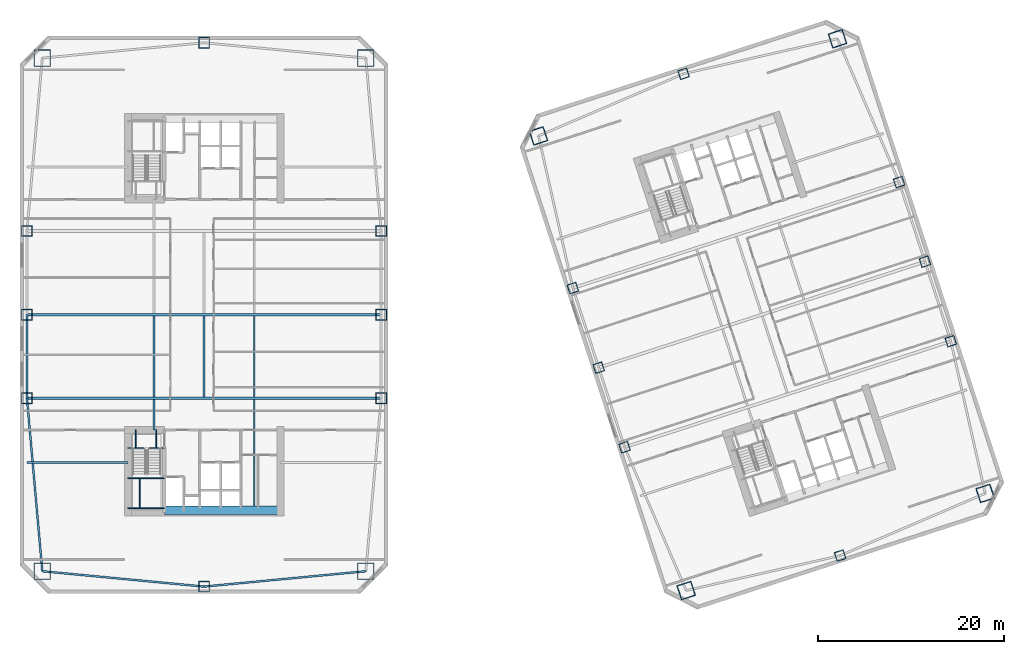
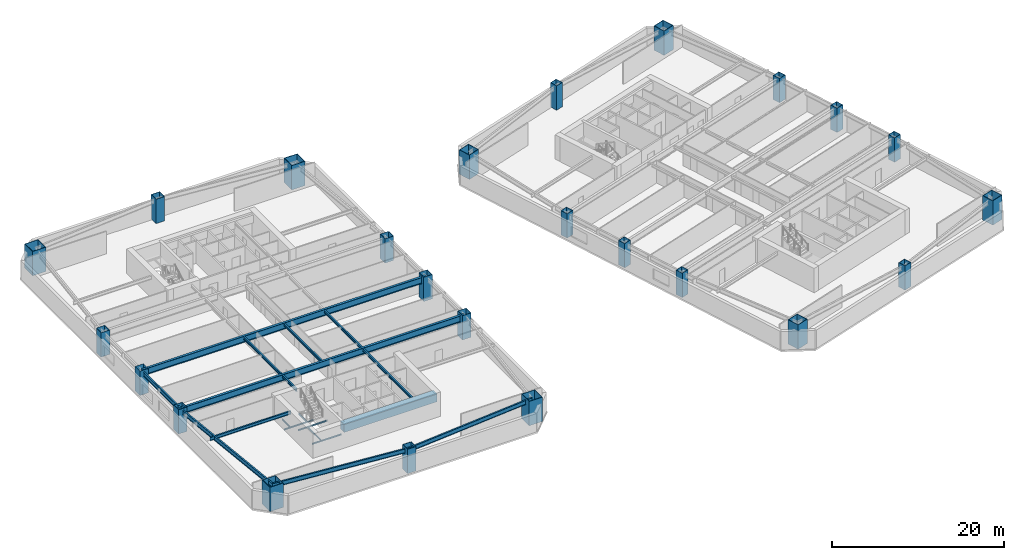
# One storey, part 1 of 19: 24 columns, 19 beams.
"""IFC4 building model written with IfcOpenShell, lengths in metres."""

from ifc_helpers import new_model, si_unit, direction, frame, origin, origin_2d, place, context, subcontext, project, spatial, rectangle, hollow_rectangle, i_section, extrude, material, material_profile, profile_set, type_object, element, save


model = new_model("IFC4")

# Units and contexts
model_context = context("Model", 3, precision=1e-05, world=origin(), true_north=direction((0.0, 1.0)))
body_context = subcontext(model_context, "Body", "Model", "MODEL_VIEW")
ifc_project = project(units=[si_unit("LENGTHUNIT", "METRE"), si_unit("AREAUNIT", "SQUARE_METRE"), si_unit("VOLUMEUNIT", "CUBIC_METRE"), si_unit("PLANEANGLEUNIT", "RADIAN"), si_unit("MASSUNIT", "GRAM", prefix="KILO")], contexts=[model_context])

# Site, building, storey
site_placement = place(None, origin())
site = spatial("IfcSite", under=ifc_project, at=site_placement, CompositionType="ELEMENT")
building_placement = place(site_placement, origin())
building = spatial("IfcBuilding", under=site, at=building_placement, Name="Qiaolan Cultural Towers", CompositionType="ELEMENT")
storey_placement = place(building_placement, frame((0.0, 0.0, 54.050048828125)))
storey = spatial("IfcBuildingStorey", under=building, at=storey_placement, Name="L12", CompositionType="ELEMENT", Elevation=54.050048828125)

# Columns
ifc_material_1 = material(Name="Steel Q355B", Category="steel")
ifc_material_profile_1 = material_profile(ifc_material_1, hollow_rectangle(XDim=1.0, YDim=1.0, WallThickness=0.035888671875, at=origin_2d()), Name="BOX1000x1000x36")
ifc_profile_set_1 = profile_set([ifc_material_profile_1], Name="Steel Q355B")
column_type_1 = type_object("IfcColumnType", Name="COL-BOX1000x1000x36", PredefinedType="COLUMN", material=ifc_profile_set_1)
for number, where, z_axis, x_axis, name in (
    (1, (75.234130859375, 19.739013671875, 0.0), (0.0, 0.0, 1.0), (0.951056516295, 0.309016994375, 0.0), "L12 T2 Perimeter Column PC-W1"),
    (2, (72.453125, 28.298583984375, 0.0), (0.0, 0.0, 1.0), (0.951056516295, 0.309016994375, 0.0), "L12 T2 Perimeter Column PC-W2"),
    (3, (69.671875, 36.858154296875, 0.0), (0.0, 0.0, 1.0), (0.951056516295, 0.309016994375, 0.0), "L12 T2 Perimeter Column PC-W3"),
    (4, (110.328125, 31.141845703125, 0.0), (0.0, 0.0, 1.0), (0.951056516295, 0.309016994375, 0.0), "L12 T2 Perimeter Column PC-E1"),
    (5, (107.546875, 39.701416015625, 0.0), (0.0, 0.0, 1.0), (0.951056516295, 0.309016994375, 0.0), "L12 T2 Perimeter Column PC-E2"),
    (6, (104.765869140625, 48.260986328125, 0.0), (0.0, 0.0, 1.0), (0.951056516295, 0.309016994375, 0.0), "L12 T2 Perimeter Column PC-E3"),
    (7, (98.420654296875, 8.083740234375, 0.0), (0.0, 0.0, 1.0), (0.951056516295, 0.309016994375, 0.0), "L12 T2 Perimeter Column PC-S0"),
    (8, (81.579345703125, 59.916259765625, 0.0), (0.0, 0.0, 1.0), (0.951056516295, 0.309016994375, 0.0), "L12 T2 Perimeter Column PC-N0"),
):
    element("IfcColumn", number, at=place(storey_placement, frame(where, z_axis=z_axis, x_axis=x_axis)), inside=storey, type_object=column_type_1, Name=name, PredefinedType="COLUMN", context=body_context, shape_type="SweptSolid", body=[
        extrude(hollow_rectangle(XDim=1.0, YDim=1.0, WallThickness=0.035888671875, at=origin_2d()), origin(), (0.0, 0.0, 1.0), 3.450927734375),
    ])
ifc_material_2 = material(Name="Steel Q390GJB", Category="steel")
ifc_material_profile_2 = material_profile(ifc_material_2, hollow_rectangle(XDim=1.14990234375, YDim=1.14990234375, WallThickness=0.0400390625, at=origin_2d()), Name="BOX1150x1150x40")
ifc_profile_set_2 = profile_set([ifc_material_profile_2], Name="Steel Q390GJB")
column_type_2 = type_object("IfcColumnType", Name="COL-BOX1150x1150x40", PredefinedType="COLUMN", material=ifc_profile_set_2)
for number, where, z_axis, x_axis, name in (
    (9, (10.949951171875, 25.0, 0.0), (0.0, 0.0, 1.0), (1.0, 0.0, 0.0), "L12 T1 Perimeter Column PC-W1"),
    (10, (10.949951171875, 34.0, 0.0), (0.0, 0.0, 1.0), (1.0, 0.0, 0.0), "L12 T1 Perimeter Column PC-W2"),
    (11, (10.949951171875, 43.0, 0.0), (0.0, 0.0, 1.0), (1.0, 0.0, 0.0), "L12 T1 Perimeter Column PC-W3"),
    (12, (49.050048828125, 25.0, 0.0), (0.0, 0.0, 1.0), (1.0, 0.0, 0.0), "L12 T1 Perimeter Column PC-E1"),
    (13, (49.050048828125, 34.0, 0.0), (0.0, 0.0, 1.0), (1.0, 0.0, 0.0), "L12 T1 Perimeter Column PC-E2"),
    (14, (49.050048828125, 43.0, 0.0), (0.0, 0.0, 1.0), (1.0, 0.0, 0.0), "L12 T1 Perimeter Column PC-E3"),
    (15, (30.0, 4.75, 0.0), (0.0, 0.0, 1.0), (1.0, 0.0, 0.0), "L12 T1 Perimeter Column PC-S0"),
    (16, (30.0, 63.25, 0.0), (0.0, 0.0, 1.0), (1.0, 0.0, 0.0), "L12 T1 Perimeter Column PC-N0"),
):
    element("IfcColumn", number, at=place(storey_placement, frame(where, z_axis=z_axis, x_axis=x_axis)), inside=storey, type_object=column_type_2, Name=name, PredefinedType="COLUMN", context=body_context, shape_type="SweptSolid", body=[
        extrude(hollow_rectangle(XDim=1.14990234375, YDim=1.14990234375, WallThickness=0.0400390625, at=origin_2d()), origin(), (0.0, 0.0, 1.0), 3.450927734375),
    ])
ifc_material_3 = material(Name="Steel Q420GJB", Category="steel")
ifc_material_profile_3 = material_profile(ifc_material_3, hollow_rectangle(XDim=1.60009765625, YDim=1.60009765625, WallThickness=0.054931640625, at=origin_2d()), Name="BOX1600x1600x55")
ifc_profile_set_3 = profile_set([ifc_material_profile_3], Name="Steel Q420GJB")
column_type_3 = type_object("IfcColumnType", Name="COL-BOX1600x1600x55", PredefinedType="COLUMN", material=ifc_profile_set_3)
for number, where, z_axis, x_axis, name in (
    (17, (81.862548828125, 4.32275390625, 0.0), (0.0, 0.0, 1.0), (0.951056516295, 0.309016994375, 0.0), "L12 T2 Perimeter Column MC-SW"),
    (18, (114.027099609375, 14.77392578125, 0.0), (0.0, 0.0, 1.0), (0.951056516295, 0.309016994375, 0.0), "L12 T2 Perimeter Column MC-SE"),
    (19, (98.137451171875, 63.67724609375, 0.0), (0.0, 0.0, 1.0), (0.951056516295, 0.309016994375, 0.0), "L12 T2 Perimeter Column MC-NE"),
    (20, (65.972900390625, 53.22607421875, 0.0), (0.0, 0.0, 1.0), (0.951056516295, 0.309016994375, 0.0), "L12 T2 Perimeter Column MC-NW"),
):
    element("IfcColumn", number, at=place(storey_placement, frame(where, z_axis=z_axis, x_axis=x_axis)), inside=storey, type_object=column_type_3, Name=name, PredefinedType="COLUMN", context=body_context, shape_type="SweptSolid", body=[
        extrude(hollow_rectangle(XDim=1.60009765625, YDim=1.60009765625, WallThickness=0.054931640625, at=origin_2d()), origin(), (0.0, 0.0, 1.0), 3.450927734375),
    ])
ifc_material_4 = material(Name="Steel Q420GJB", Category="steel")
ifc_material_profile_4 = material_profile(ifc_material_4, hollow_rectangle(XDim=1.800048828125, YDim=1.800048828125, WallThickness=0.06005859375, at=origin_2d()), Name="BOX1800x1800x60")
ifc_profile_set_4 = profile_set([ifc_material_profile_4], Name="Steel Q420GJB")
column_type_4 = type_object("IfcColumnType", Name="COL-BOX1800x1800x60", PredefinedType="COLUMN", material=ifc_profile_set_4)
for number, where, z_axis, x_axis, name in (
    (21, (12.60009765625, 6.39990234375, 0.0), (0.0, 0.0, 1.0), (1.0, 0.0, 0.0), "L12 T1 Perimeter Column MC-SW"),
    (22, (47.39990234375, 6.39990234375, 0.0), (0.0, 0.0, 1.0), (1.0, 0.0, 0.0), "L12 T1 Perimeter Column MC-SE"),
    (23, (47.39990234375, 61.60009765625, 0.0), (0.0, 0.0, 1.0), (1.0, 0.0, 0.0), "L12 T1 Perimeter Column MC-NE"),
    (24, (12.60009765625, 61.60009765625, 0.0), (0.0, 0.0, 1.0), (1.0, 0.0, 0.0), "L12 T1 Perimeter Column MC-NW"),
):
    element("IfcColumn", number, at=place(storey_placement, frame(where, z_axis=z_axis, x_axis=x_axis)), inside=storey, type_object=column_type_4, Name=name, PredefinedType="COLUMN", context=body_context, shape_type="SweptSolid", body=[
        extrude(hollow_rectangle(XDim=1.800048828125, YDim=1.800048828125, WallThickness=0.06005859375, at=origin_2d()), origin(), (0.0, 0.0, 1.0), 3.450927734375),
    ])

# Beams
ifc_material_5 = material(Name="Steel Q355B", Category="steel")
ifc_material_profile_5 = material_profile(ifc_material_5, i_section(OverallWidth=0.300048828125, OverallDepth=0.89990234375, WebThickness=0.01611328125, FlangeThickness=0.028076171875, at=origin_2d()), Name="HN900x300x16x28")
ifc_profile_set_5 = profile_set([ifc_material_profile_5], Name="Steel Q355B")
beam_type_1 = type_object("IfcBeamType", Name="BM-HN900x300x16x28", PredefinedType="BEAM", material=ifc_profile_set_5)
for number, where, z_axis, x_axis, name in (
    (25, (10.949951171875, 25.0, 2.739990234375), (1.0, 0.0, 0.0), (0.0, 1.0, 0.0), "L12 T1 Primary Transverse Girder V1"),
    (26, (10.949951171875, 34.0, 2.739990234375), (1.0, 0.0, 0.0), (0.0, 1.0, 0.0), "L12 T1 Primary Transverse Girder V2"),
):
    element("IfcBeam", number, at=place(storey_placement, frame(where, z_axis=z_axis, x_axis=x_axis)), inside=storey, type_object=beam_type_1, Name=name, PredefinedType="BEAM", context=body_context, shape_type="SweptSolid", body=[
        extrude(i_section(OverallWidth=0.300048828125, OverallDepth=0.89990234375, WebThickness=0.01611328125, FlangeThickness=0.028076171875, at=origin_2d()), origin(), (0.0, 0.0, 1.0), 38.10009765625),
    ])
ifc_material_6 = material(Name="Steel Q355B", Category="steel")
ifc_material_profile_6 = material_profile(ifc_material_6, i_section(OverallWidth=0.199951171875, OverallDepth=0.39990234375, WebThickness=0.008056640625, FlangeThickness=0.012939453125, at=origin_2d()), Name="HN400x200x8x13")
ifc_profile_set_6 = profile_set([ifc_material_profile_6], Name="Steel Q355B")
beam_type_2 = type_object("IfcBeamType", Name="BM-JST-HN400x200x8x13", PredefinedType="JOIST", material=ifc_profile_set_6)
beam_1_placement = place(storey_placement, frame((24.60009765625, 21.60009765625, 2.989990234375), z_axis=(0.0, 1.0, 0.0), x_axis=(-1.0, 0.0, 0.0)))
element("IfcBeam", 27, at=beam_1_placement, inside=storey, type_object=beam_type_2, Name="L12 T1 Secondary Floor Joist U1-1", PredefinedType="JOIST", context=body_context, shape_type="SweptSolid", body=[
    extrude(i_section(OverallWidth=0.199951171875, OverallDepth=0.39990234375, WebThickness=0.008056640625, FlangeThickness=0.012939453125, at=origin_2d()), origin(), (0.0, 0.0, 1.0), 3.25),
])
for number, where, z_axis, x_axis, name in (
    (28, (24.60009765625, 25.14990234375, 2.989990234375), (0.0, 1.0, 0.0), (-1.0, 0.0, 0.0), "L12 T1 Secondary Floor Joist U1-2"),
    (29, (30.0, 25.14990234375, 2.989990234375), (0.0, 1.0, 0.0), (-1.0, 0.0, 0.0), "L12 T1 Secondary Floor Joist U2-2"),
):
    element("IfcBeam", number, at=place(storey_placement, frame(where, z_axis=z_axis, x_axis=x_axis)), inside=storey, type_object=beam_type_2, Name=name, PredefinedType="JOIST", context=body_context, shape_type="SweptSolid", body=[
        extrude(i_section(OverallWidth=0.199951171875, OverallDepth=0.39990234375, WebThickness=0.008056640625, FlangeThickness=0.012939453125, at=origin_2d()), origin(), (0.0, 0.0, 1.0), 8.7001953125),
    ])
beam_2_placement = place(storey_placement, frame((35.39990234375, 13.39990234375, 2.989990234375), z_axis=(0.0, 1.0, 0.0), x_axis=(-1.0, 0.0, 0.0)))
element("IfcBeam", 30, at=beam_2_placement, inside=storey, type_object=beam_type_2, Name="L12 T1 Secondary Floor Joist U3-1", PredefinedType="JOIST", context=body_context, shape_type="SweptSolid", body=[
    extrude(i_section(OverallWidth=0.199951171875, OverallDepth=0.39990234375, WebThickness=0.008056640625, FlangeThickness=0.012939453125, at=origin_2d()), origin(), (0.0, 0.0, 1.0), 11.4501953125),
])
beam_3_placement = place(storey_placement, frame((35.39990234375, 25.14990234375, 2.989990234375), z_axis=(0.0, 1.0, 0.0), x_axis=(-1.0, 0.0, 0.0)))
element("IfcBeam", 31, at=beam_3_placement, inside=storey, type_object=beam_type_2, Name="L12 T1 Secondary Floor Joist U3-2", PredefinedType="JOIST", context=body_context, shape_type="SweptSolid", body=[
    extrude(i_section(OverallWidth=0.199951171875, OverallDepth=0.39990234375, WebThickness=0.008056640625, FlangeThickness=0.012939453125, at=origin_2d()), origin(), (0.0, 0.0, 1.0), 8.7001953125),
])
ifc_material_7 = material(Name="Steel Q355B", Category="steel")
ifc_material_profile_7 = material_profile(ifc_material_7, i_section(OverallWidth=0.199951171875, OverallDepth=0.449951171875, WebThickness=0.009033203125, FlangeThickness=0.013916015625, at=origin_2d()), Name="HN450x200x9x14")
ifc_profile_set_7 = profile_set([ifc_material_profile_7], Name="Steel Q355B")
beam_type_3 = type_object("IfcBeamType", Name="BM-LNT-HN450x200x9x14", PredefinedType="LINTEL", material=ifc_profile_set_7)
beam_4_placement = place(storey_placement, frame((21.800048828125, 18.10009765625, 2.96484375), z_axis=(-1.0, 0.0, 0.0), x_axis=(0.0, -1.0, 0.0)))
element("IfcBeam", 32, at=beam_4_placement, inside=storey, type_object=beam_type_3, Name="L12 T1 Core Flank Tie Lintel WS", PredefinedType="LINTEL", context=body_context, shape_type="SweptSolid", body=[
    extrude(i_section(OverallWidth=0.199951171875, OverallDepth=0.449951171875, WebThickness=0.009033203125, FlangeThickness=0.013916015625, at=origin_2d()), origin(), (0.0, 0.0, 1.0), 10.85009765625),
])
ifc_material_8 = material(Name="Concrete C50", Category="concrete")
ifc_material_profile_8 = material_profile(ifc_material_8, rectangle(XDim=0.89990234375, YDim=1.10009765625, at=origin_2d()), Name="RC900x1100")
ifc_profile_set_8 = profile_set([ifc_material_profile_8], Name="Concrete C50")
beam_type_4 = type_object("IfcBeamType", Name="BM-RC900x1100", PredefinedType="BEAM", material=ifc_profile_set_8)
beam_5_placement = place(storey_placement, frame((25.719970703125, 12.949951171875, 2.639892578125), z_axis=(1.0, 0.0, 0.0), x_axis=(0.0, 1.0, 0.0)))
element("IfcBeam", 33, at=beam_5_placement, inside=storey, type_object=beam_type_4, Name="L12 T1 Core Header Girder S", PredefinedType="BEAM", context=body_context, shape_type="SweptSolid", body=[
    extrude(rectangle(XDim=0.89990234375, YDim=1.10009765625, at=origin_2d()), origin(), (0.0, 0.0, 1.0), 12.47998046875),
])
ifc_material_9 = material(Name="Steel Q355B", Category="steel")
ifc_material_profile_9 = material_profile(ifc_material_9, i_section(OverallWidth=0.199951171875, OverallDepth=0.60009765625, WebThickness=0.010986328125, FlangeThickness=0.01708984375, at=origin_2d()), Name="HN600x200x11x17")
ifc_profile_set_9 = profile_set([ifc_material_profile_9], Name="Steel Q355B")
beam_type_5 = type_object("IfcBeamType", Name="BM-SPD-HN600x200x11x17", PredefinedType="SPANDREL", material=ifc_profile_set_9)
for number, where, z_axis, x_axis, name in (
    (34, (12.60009765625, 6.39990234375, 2.889892578125), (0.995534437156, -0.094399070104, 0.0), (0.094399070104, 0.995534437156, 0.0), "L12 T1 Perimeter Spandrel Beam 1"),
    (35, (30.0, 4.75, 2.889892578125), (0.995534437156, 0.094399070104, 0.0), (-0.094399070104, 0.995534437156, 0.0), "L12 T1 Perimeter Spandrel Beam 2"),
):
    element("IfcBeam", number, at=place(storey_placement, frame(where, z_axis=z_axis, x_axis=x_axis)), inside=storey, type_object=beam_type_5, Name=name, PredefinedType="SPANDREL", context=body_context, shape_type="SweptSolid", body=[
        extrude(i_section(OverallWidth=0.199951171875, OverallDepth=0.60009765625, WebThickness=0.010986328125, FlangeThickness=0.01708984375, at=origin_2d()), origin(), (0.0, 0.0, 1.0), 17.47802734375),
    ])
beam_6_placement = place(storey_placement, frame((10.949951171875, 34.0, 2.889892578125), z_axis=(0.0, -1.0, 0.0), x_axis=(1.0, 0.0, 0.0)))
element("IfcBeam", 36, at=beam_6_placement, inside=storey, type_object=beam_type_5, Name="L12 T1 Perimeter Spandrel Beam 11", PredefinedType="SPANDREL", context=body_context, shape_type="SweptSolid", body=[
    extrude(i_section(OverallWidth=0.199951171875, OverallDepth=0.60009765625, WebThickness=0.010986328125, FlangeThickness=0.01708984375, at=origin_2d()), origin(), (0.0, 0.0, 1.0), 9.0),
])
beam_7_placement = place(storey_placement, frame((10.949951171875, 25.0, 2.889892578125), z_axis=(0.08837000091, -0.996087718496, 0.0), x_axis=(0.996087718496, 0.08837000091, 0.0)))
element("IfcBeam", 37, at=beam_7_placement, inside=storey, type_object=beam_type_5, Name="L12 T1 Perimeter Spandrel Beam 12", PredefinedType="SPANDREL", context=body_context, shape_type="SweptSolid", body=[
    extrude(i_section(OverallWidth=0.199951171875, OverallDepth=0.60009765625, WebThickness=0.010986328125, FlangeThickness=0.01708984375, at=origin_2d()), origin(), (0.0, 0.0, 1.0), 18.673095703125),
])
ifc_material_10 = material(Name="Steel Q355B", Category="steel")
ifc_material_profile_10 = material_profile(ifc_material_10, i_section(OverallWidth=0.10009765625, OverallDepth=0.199951171875, WebThickness=0.005615234375, FlangeThickness=0.008056640625, at=origin_2d()), Name="HN200x100x5.5x8")
ifc_profile_set_10 = profile_set([ifc_material_profile_10], Name="Steel Q355B")
beam_type_6 = type_object("IfcBeamType", Name="BM-STTRIM-200", PredefinedType="BEAM", material=ifc_profile_set_10)
beam_8_placement = place(storey_placement, frame((21.800048828125, 19.659912109375, -0.4599609375), z_axis=(1.0, 0.0, 0.0), x_axis=(0.0, 1.0, 0.0)))
element("IfcBeam", 38, at=beam_8_placement, inside=storey, type_object=beam_type_6, Name="L12 ST-W1 Floor Landing Header Beam", PredefinedType="BEAM", context=body_context, shape_type="SweptSolid", body=[
    extrude(i_section(OverallWidth=0.10009765625, OverallDepth=0.199951171875, WebThickness=0.005615234375, FlangeThickness=0.008056640625, at=origin_2d()), origin(), (0.0, 0.0, 1.0), 3.919921875),
])
for number, where, z_axis, x_axis, name in (
    (39, (22.64990234375, 21.60009765625, -0.4599609375), (0.0, -1.0, 0.0), (1.0, 0.0, 0.0), "L12 ST-W1 Floor Landing Stringer 1"),
    (40, (24.85009765625, 21.60009765625, -0.4599609375), (0.0, -1.0, 0.0), (1.0, 0.0, 0.0), "L12 ST-W1 Floor Landing Stringer 2"),
):
    element("IfcBeam", number, at=place(storey_placement, frame(where, z_axis=z_axis, x_axis=x_axis)), inside=storey, type_object=beam_type_6, Name=name, PredefinedType="BEAM", context=body_context, shape_type="SweptSolid", body=[
        extrude(i_section(OverallWidth=0.10009765625, OverallDepth=0.199951171875, WebThickness=0.005615234375, FlangeThickness=0.008056640625, at=origin_2d()), origin(), (0.0, 0.0, 1.0), 1.940185546875),
    ])
for number, where, z_axis, x_axis, name in (
    (41, (21.800048828125, 16.411376953125, 1.425048828125), (1.0, 0.0, 0.0), (0.0, 1.0, 0.0), "L12 ST-W1 Stair Landing Support Beam 1-1"),
    (42, (21.800048828125, 13.179931640625, 1.425048828125), (1.0, 0.0, 0.0), (0.0, 1.0, 0.0), "L12 ST-W1 Stair Landing Support Beam 1-2"),
):
    element("IfcBeam", number, at=place(storey_placement, frame(where, z_axis=z_axis, x_axis=x_axis)), inside=storey, type_object=beam_type_6, Name=name, PredefinedType="BEAM", context=body_context, shape_type="SweptSolid", body=[
        extrude(i_section(OverallWidth=0.10009765625, OverallDepth=0.199951171875, WebThickness=0.005615234375, FlangeThickness=0.008056640625, at=origin_2d()), origin(), (0.0, 0.0, 1.0), 3.919921875),
    ])
beam_9_placement = place(storey_placement, frame((23.070068359375, 16.411376953125, 1.425048828125), z_axis=(0.0, -1.0, 0.0), x_axis=(1.0, 0.0, 0.0)))
element("IfcBeam", 43, at=beam_9_placement, inside=storey, type_object=beam_type_6, Name="L12 ST-W1 Stair Landing Trimmer 1", PredefinedType="BEAM", context=body_context, shape_type="SweptSolid", body=[
    extrude(i_section(OverallWidth=0.10009765625, OverallDepth=0.199951171875, WebThickness=0.005615234375, FlangeThickness=0.008056640625, at=origin_2d()), origin(), (0.0, 0.0, 1.0), 3.2314453125),
])

save(model, "model.ifc")
